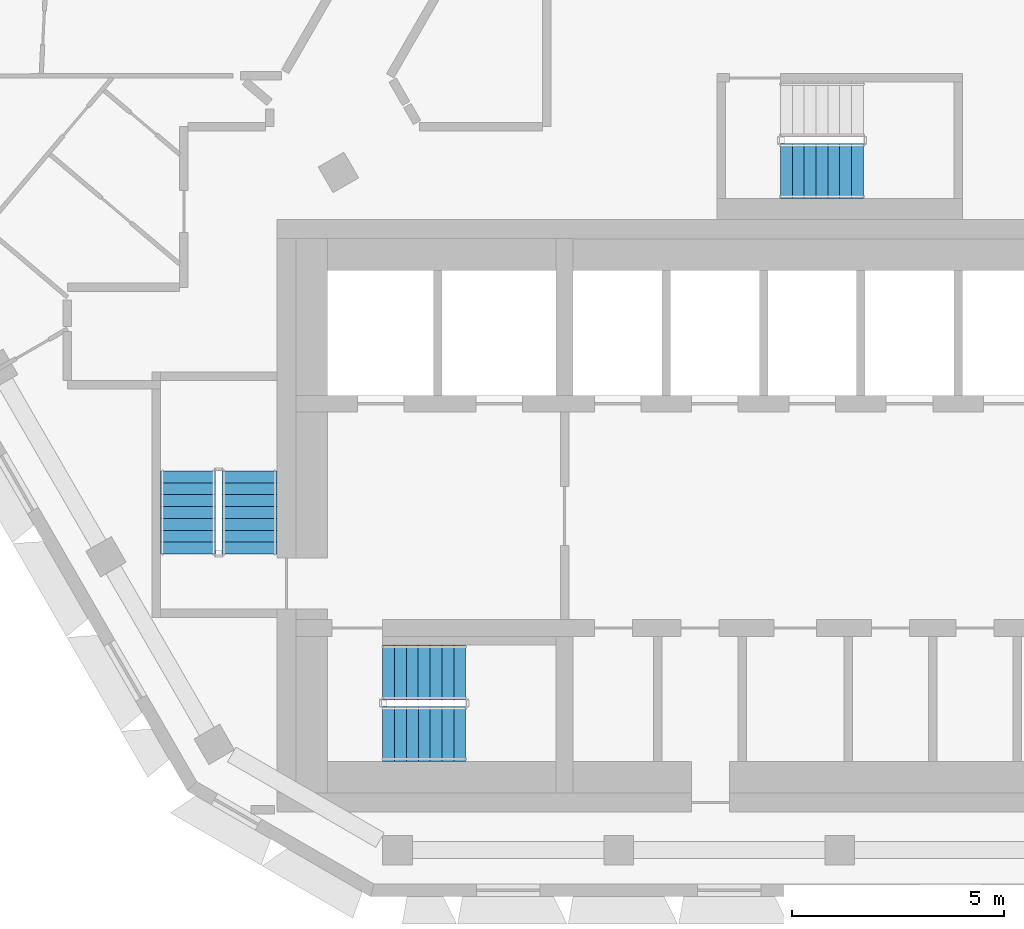
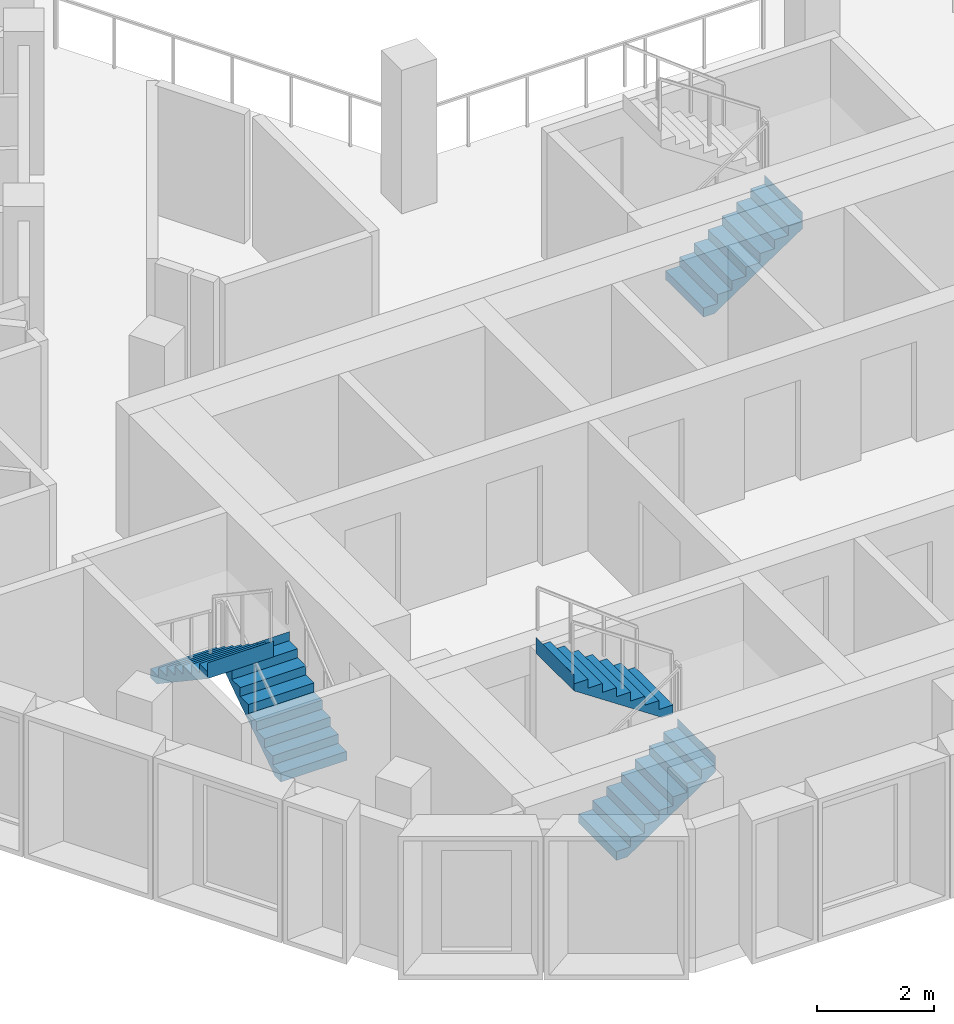
# One storey, part 9 of 15: 5 stair flights, 3 elements without a shape of their own.
"""IFC4 building model written with IfcOpenShell, lengths in metres."""

from ifc_helpers import new_model, si_unit, direction, frame, origin, place, context, subcontext, project, spatial, triangles, material, type_object, element, aggregate, save


model = new_model("IFC4")

# Units and contexts
model_context = context("Model", 3, precision=1e-05, world=origin(), true_north=direction((0.0, 1.0)))
body_context = subcontext(model_context, "Body", "Model", "MODEL_VIEW")
ifc_project = project(units=[si_unit("LENGTHUNIT", "METRE"), si_unit("AREAUNIT", "SQUARE_METRE"), si_unit("VOLUMEUNIT", "CUBIC_METRE"), si_unit("PLANEANGLEUNIT", "RADIAN"), si_unit("MASSUNIT", "GRAM", prefix="KILO")], contexts=[model_context])

# Site, building, storey
site_placement = place(None, origin())
site = spatial("IfcSite", under=ifc_project, at=site_placement, CompositionType="ELEMENT")
building_placement = place(site_placement, origin())
building = spatial("IfcBuilding", under=site, at=building_placement, Name="Beryl Residences", CompositionType="ELEMENT")
storey_placement = place(building_placement, frame((0.0, 0.0, 205.800048828125)))
storey = spatial("IfcBuildingStorey", under=building, at=storey_placement, Name="L63", CompositionType="ELEMENT", Elevation=205.800048828125)

# Stair, stair flights
ifc_material_1 = material(Name="Concrete C40/50", Category="concrete")
stair_type = type_object("IfcStairType", Name="ST1 protected exit stair, half-turn, 1300 mm flights", PredefinedType="HALF_TURN_STAIR", material=ifc_material_1)
stair_1_placement = place(storey_placement, origin())
stair_1 = element("IfcStair", 1, at=stair_1_placement, inside=storey, type_object=stair_type, Name="L63 PROTECTED EXIT STAIR ST-1", PredefinedType="HALF_TURN_STAIR")
ifc_material_2 = material(Name="Concrete C40/50", Category="concrete")
stair_flight_type = type_object("IfcStairFlightType", Name="SF1 stair flight 1300 mm", PredefinedType="STRAIGHT", material=ifc_material_2)
stair_flight_1_placement = place(storey_placement, frame((-10.800048828125, -17.14990234375, 0.0), z_axis=(0.0, 0.0, 1.0), x_axis=(1.0, 0.0, 0.0)))
stair_flight_1 = element("IfcStairFlight", 2, at=stair_flight_1_placement, type_object=stair_flight_type, Name="ST-1 flight 1", NumberOfRisers=8, NumberOfTreads=7, PredefinedType="STRAIGHT", RiserHeight=0.1875, TreadLength=0.28, context=body_context, shape_type="Tessellation", body=[
    triangles([(0.0, -0.64990234375, 0.0), (0.0, -0.324951171875, 0.0), (0.0, 0.0, 0.0), (0.0, 0.324951171875, 0.0), (0.0, 0.64990234375, 0.0), (0.0, -0.64990234375, 0.1875), (0.0, -0.324951171875, 0.1875), (0.0, 0.0, 0.1875), (0.0, 0.324951171875, 0.1875), (0.0, 0.64990234375, 0.1875), (0.280029296875, -0.64990234375, 0.1875), (0.280029296875, -0.324951171875, 0.1875), (0.280029296875, 0.0, 0.1875), (0.280029296875, 0.324951171875, 0.1875), (0.280029296875, 0.64990234375, 0.1875), (0.280029296875, -0.64990234375, 0.375), (0.280029296875, -0.324951171875, 0.375), (0.280029296875, 0.0, 0.375), (0.280029296875, 0.324951171875, 0.375), (0.280029296875, 0.64990234375, 0.375), (0.56005859375, -0.64990234375, 0.375), (0.56005859375, -0.324951171875, 0.375), (0.56005859375, 0.0, 0.375), (0.56005859375, 0.324951171875, 0.375), (0.56005859375, 0.64990234375, 0.375), (0.56005859375, -0.64990234375, 0.5625), (0.56005859375, -0.324951171875, 0.5625), (0.56005859375, 0.0, 0.5625), (0.56005859375, 0.324951171875, 0.5625), (0.56005859375, 0.64990234375, 0.5625), (0.840087890625, -0.64990234375, 0.5625), (0.840087890625, -0.324951171875, 0.5625), (0.840087890625, 0.0, 0.5625), (0.840087890625, 0.324951171875, 0.5625), (0.840087890625, 0.64990234375, 0.5625), (0.840087890625, -0.64990234375, 0.75), (0.840087890625, -0.324951171875, 0.75), (0.840087890625, 0.0, 0.75), (0.840087890625, 0.324951171875, 0.75), (0.840087890625, 0.64990234375, 0.75), (1.1201171875, -0.64990234375, 0.75), (1.1201171875, -0.324951171875, 0.75), (1.1201171875, 0.0, 0.75), (1.1201171875, 0.324951171875, 0.75), (1.1201171875, 0.64990234375, 0.75), (1.1201171875, -0.64990234375, 0.9375), (1.1201171875, -0.324951171875, 0.9375), (1.1201171875, 0.0, 0.9375), (1.1201171875, 0.324951171875, 0.9375), (1.1201171875, 0.64990234375, 0.9375), (1.39990234375, -0.64990234375, 0.9375), (1.39990234375, -0.324951171875, 0.9375), (1.39990234375, 0.0, 0.9375), (1.39990234375, 0.324951171875, 0.9375), (1.39990234375, 0.64990234375, 0.9375), (1.39990234375, -0.64990234375, 1.125), (1.39990234375, -0.324951171875, 1.125), (1.39990234375, 0.0, 1.125), (1.39990234375, 0.324951171875, 1.125), (1.39990234375, 0.64990234375, 1.125), (1.679931640625, -0.64990234375, 1.125), (1.679931640625, -0.324951171875, 1.125), (1.679931640625, 0.0, 1.125), (1.679931640625, 0.324951171875, 1.125), (1.679931640625, 0.64990234375, 1.125), (1.679931640625, -0.64990234375, 1.3125), (1.679931640625, -0.324951171875, 1.3125), (1.679931640625, 0.0, 1.3125), (1.679931640625, 0.324951171875, 1.3125), (1.679931640625, 0.64990234375, 1.3125), (1.9599609375, -0.64990234375, 1.3125), (1.9599609375, -0.324951171875, 1.3125), (1.9599609375, 0.0, 1.3125), (1.9599609375, 0.324951171875, 1.3125), (1.9599609375, 0.64990234375, 1.3125), (1.9599609375, -0.64990234375, 1.5), (1.9599609375, -0.324951171875, 1.5), (1.9599609375, 0.0, 1.5), (1.9599609375, 0.324951171875, 1.5), (1.9599609375, 0.64990234375, 1.5), (1.9609375, -0.64990234375, 1.5), (1.9609375, -0.324951171875, 1.5), (1.9609375, 0.0, 1.5), (1.9609375, 0.324951171875, 1.5), (1.9609375, 0.64990234375, 1.5), (1.9609375, -0.64990234375, 1.16796875), (1.9609375, -0.324951171875, 1.16796875), (1.9609375, 0.0, 1.16796875), (1.9609375, 0.324951171875, 1.16796875), (1.9609375, 0.64990234375, 1.16796875), (0.216796875, -0.64990234375, 0.0), (0.216796875, -0.324951171875, 0.0), (0.216796875, 0.0, 0.0), (0.216796875, 0.324951171875, 0.0), (0.216796875, 0.64990234375, 0.0)], [[1, 6, 7], [1, 7, 2], [2, 7, 8], [2, 8, 3], [3, 8, 9], [3, 9, 4], [4, 9, 10], [4, 10, 5], [6, 11, 12], [6, 12, 7], [7, 12, 13], [7, 13, 8], [8, 13, 14], [8, 14, 9], [9, 14, 15], [9, 15, 10], [11, 16, 17], [11, 17, 12], [12, 17, 18], [12, 18, 13], [13, 18, 19], [13, 19, 14], [14, 19, 20], [14, 20, 15], [16, 21, 22], [16, 22, 17], [17, 22, 23], [17, 23, 18], [18, 23, 24], [18, 24, 19], [19, 24, 25], [19, 25, 20], [21, 26, 27], [21, 27, 22], [22, 27, 28], [22, 28, 23], [23, 28, 29], [23, 29, 24], [24, 29, 30], [24, 30, 25], [26, 31, 32], [26, 32, 27], [27, 32, 33], [27, 33, 28], [28, 33, 34], [28, 34, 29], [29, 34, 35], [29, 35, 30], [31, 36, 37], [31, 37, 32], [32, 37, 38], [32, 38, 33], [33, 38, 39], [33, 39, 34], [34, 39, 40], [34, 40, 35], [36, 41, 42], [36, 42, 37], [37, 42, 43], [37, 43, 38], [38, 43, 44], [38, 44, 39], [39, 44, 45], [39, 45, 40], [41, 46, 47], [41, 47, 42], [42, 47, 48], [42, 48, 43], [43, 48, 49], [43, 49, 44], [44, 49, 50], [44, 50, 45], [46, 51, 52], [46, 52, 47], [47, 52, 53], [47, 53, 48], [48, 53, 54], [48, 54, 49], [49, 54, 55], [49, 55, 50], [51, 56, 57], [51, 57, 52], [52, 57, 58], [52, 58, 53], [53, 58, 59], [53, 59, 54], [54, 59, 60], [54, 60, 55], [56, 61, 62], [56, 62, 57], [57, 62, 63], [57, 63, 58], [58, 63, 64], [58, 64, 59], [59, 64, 65], [59, 65, 60], [61, 66, 67], [61, 67, 62], [62, 67, 68], [62, 68, 63], [63, 68, 69], [63, 69, 64], [64, 69, 70], [64, 70, 65], [66, 71, 72], [66, 72, 67], [67, 72, 73], [67, 73, 68], [68, 73, 74], [68, 74, 69], [69, 74, 75], [69, 75, 70], [71, 76, 77], [71, 77, 72], [72, 77, 78], [72, 78, 73], [73, 78, 79], [73, 79, 74], [74, 79, 80], [74, 80, 75], [76, 81, 82], [76, 82, 77], [77, 82, 83], [77, 83, 78], [78, 83, 84], [78, 84, 79], [79, 84, 85], [79, 85, 80], [81, 86, 87], [81, 87, 82], [82, 87, 88], [82, 88, 83], [83, 88, 89], [83, 89, 84], [84, 89, 90], [84, 90, 85], [86, 91, 92], [86, 92, 87], [87, 92, 93], [87, 93, 88], [88, 93, 94], [88, 94, 89], [89, 94, 95], [89, 95, 90], [91, 1, 2], [91, 2, 92], [92, 2, 3], [92, 3, 93], [93, 3, 4], [93, 4, 94], [94, 4, 5], [94, 5, 95], [1, 91, 86], [5, 90, 95], [86, 81, 76], [90, 80, 85], [86, 76, 71], [90, 75, 80], [86, 71, 66], [90, 70, 75], [86, 66, 61], [90, 65, 70], [61, 56, 51], [65, 55, 60], [86, 61, 51], [90, 55, 65], [51, 46, 41], [55, 45, 50], [86, 51, 41], [90, 45, 55], [41, 36, 31], [45, 35, 40], [86, 41, 31], [90, 35, 45], [31, 26, 21], [35, 25, 30], [86, 31, 21], [90, 25, 35], [21, 16, 11], [25, 15, 20], [86, 21, 11], [90, 15, 25], [1, 86, 11], [5, 15, 90], [11, 6, 1], [15, 5, 10]], closed=True),
])
stair_flight_2_placement = place(storey_placement, frame((-8.840087890625, -15.699951171875, 1.5), z_axis=(0.0, 0.0, 1.0), x_axis=(-1.0, 0.0, 0.0)))
stair_flight_2 = element("IfcStairFlight", 3, at=stair_flight_2_placement, type_object=stair_flight_type, Name="ST-1 flight 2", NumberOfRisers=8, NumberOfTreads=7, PredefinedType="STRAIGHT", RiserHeight=0.1875, TreadLength=0.28, context=body_context, shape_type="Tessellation", body=[
    triangles([(0.0, -0.64990234375, 0.0), (0.0, -0.324951171875, 0.0), (0.0, 0.0, 0.0), (0.0, 0.324951171875, 0.0), (0.0, 0.64990234375, 0.0), (0.0, -0.64990234375, 0.1875), (0.0, -0.324951171875, 0.1875), (0.0, 0.0, 0.1875), (0.0, 0.324951171875, 0.1875), (0.0, 0.64990234375, 0.1875), (0.280029296875, -0.64990234375, 0.1875), (0.280029296875, -0.324951171875, 0.1875), (0.280029296875, 0.0, 0.1875), (0.280029296875, 0.324951171875, 0.1875), (0.280029296875, 0.64990234375, 0.1875), (0.280029296875, -0.64990234375, 0.375), (0.280029296875, -0.324951171875, 0.375), (0.280029296875, 0.0, 0.375), (0.280029296875, 0.324951171875, 0.375), (0.280029296875, 0.64990234375, 0.375), (0.56005859375, -0.64990234375, 0.375), (0.56005859375, -0.324951171875, 0.375), (0.56005859375, 0.0, 0.375), (0.56005859375, 0.324951171875, 0.375), (0.56005859375, 0.64990234375, 0.375), (0.56005859375, -0.64990234375, 0.5625), (0.56005859375, -0.324951171875, 0.5625), (0.56005859375, 0.0, 0.5625), (0.56005859375, 0.324951171875, 0.5625), (0.56005859375, 0.64990234375, 0.5625), (0.840087890625, -0.64990234375, 0.5625), (0.840087890625, -0.324951171875, 0.5625), (0.840087890625, 0.0, 0.5625), (0.840087890625, 0.324951171875, 0.5625), (0.840087890625, 0.64990234375, 0.5625), (0.840087890625, -0.64990234375, 0.75), (0.840087890625, -0.324951171875, 0.75), (0.840087890625, 0.0, 0.75), (0.840087890625, 0.324951171875, 0.75), (0.840087890625, 0.64990234375, 0.75), (1.1201171875, -0.64990234375, 0.75), (1.1201171875, -0.324951171875, 0.75), (1.1201171875, 0.0, 0.75), (1.1201171875, 0.324951171875, 0.75), (1.1201171875, 0.64990234375, 0.75), (1.1201171875, -0.64990234375, 0.9375), (1.1201171875, -0.324951171875, 0.9375), (1.1201171875, 0.0, 0.9375), (1.1201171875, 0.324951171875, 0.9375), (1.1201171875, 0.64990234375, 0.9375), (1.39990234375, -0.64990234375, 0.9375), (1.39990234375, -0.324951171875, 0.9375), (1.39990234375, 0.0, 0.9375), (1.39990234375, 0.324951171875, 0.9375), (1.39990234375, 0.64990234375, 0.9375), (1.39990234375, -0.64990234375, 1.125), (1.39990234375, -0.324951171875, 1.125), (1.39990234375, 0.0, 1.125), (1.39990234375, 0.324951171875, 1.125), (1.39990234375, 0.64990234375, 1.125), (1.679931640625, -0.64990234375, 1.125), (1.679931640625, -0.324951171875, 1.125), (1.679931640625, 0.0, 1.125), (1.679931640625, 0.324951171875, 1.125), (1.679931640625, 0.64990234375, 1.125), (1.679931640625, -0.64990234375, 1.3125), (1.679931640625, -0.324951171875, 1.3125), (1.679931640625, 0.0, 1.3125), (1.679931640625, 0.324951171875, 1.3125), (1.679931640625, 0.64990234375, 1.3125), (1.9599609375, -0.64990234375, 1.3125), (1.9599609375, -0.324951171875, 1.3125), (1.9599609375, 0.0, 1.3125), (1.9599609375, 0.324951171875, 1.3125), (1.9599609375, 0.64990234375, 1.3125), (1.9599609375, -0.64990234375, 1.5), (1.9599609375, -0.324951171875, 1.5), (1.9599609375, 0.0, 1.5), (1.9599609375, 0.324951171875, 1.5), (1.9599609375, 0.64990234375, 1.5), (1.9609375, -0.64990234375, 1.5), (1.9609375, -0.324951171875, 1.5), (1.9609375, 0.0, 1.5), (1.9609375, 0.324951171875, 1.5), (1.9609375, 0.64990234375, 1.5), (1.9609375, -0.64990234375, 1.16796875), (1.9609375, -0.324951171875, 1.16796875), (1.9609375, 0.0, 1.16796875), (1.9609375, 0.324951171875, 1.16796875), (1.9609375, 0.64990234375, 1.16796875), (0.216796875, -0.64990234375, 0.0), (0.216796875, -0.324951171875, 0.0), (0.216796875, 0.0, 0.0), (0.216796875, 0.324951171875, 0.0), (0.216796875, 0.64990234375, 0.0)], [[1, 6, 7], [1, 7, 2], [2, 7, 8], [2, 8, 3], [3, 8, 9], [3, 9, 4], [4, 9, 10], [4, 10, 5], [6, 11, 12], [6, 12, 7], [7, 12, 13], [7, 13, 8], [8, 13, 14], [8, 14, 9], [9, 14, 15], [9, 15, 10], [11, 16, 17], [11, 17, 12], [12, 17, 18], [12, 18, 13], [13, 18, 19], [13, 19, 14], [14, 19, 20], [14, 20, 15], [16, 21, 22], [16, 22, 17], [17, 22, 23], [17, 23, 18], [18, 23, 24], [18, 24, 19], [19, 24, 25], [19, 25, 20], [21, 26, 27], [21, 27, 22], [22, 27, 28], [22, 28, 23], [23, 28, 29], [23, 29, 24], [24, 29, 30], [24, 30, 25], [26, 31, 32], [26, 32, 27], [27, 32, 33], [27, 33, 28], [28, 33, 34], [28, 34, 29], [29, 34, 35], [29, 35, 30], [31, 36, 37], [31, 37, 32], [32, 37, 38], [32, 38, 33], [33, 38, 39], [33, 39, 34], [34, 39, 40], [34, 40, 35], [36, 41, 42], [36, 42, 37], [37, 42, 43], [37, 43, 38], [38, 43, 44], [38, 44, 39], [39, 44, 45], [39, 45, 40], [41, 46, 47], [41, 47, 42], [42, 47, 48], [42, 48, 43], [43, 48, 49], [43, 49, 44], [44, 49, 50], [44, 50, 45], [46, 51, 52], [46, 52, 47], [47, 52, 53], [47, 53, 48], [48, 53, 54], [48, 54, 49], [49, 54, 55], [49, 55, 50], [51, 56, 57], [51, 57, 52], [52, 57, 58], [52, 58, 53], [53, 58, 59], [53, 59, 54], [54, 59, 60], [54, 60, 55], [56, 61, 62], [56, 62, 57], [57, 62, 63], [57, 63, 58], [58, 63, 64], [58, 64, 59], [59, 64, 65], [59, 65, 60], [61, 66, 67], [61, 67, 62], [62, 67, 68], [62, 68, 63], [63, 68, 69], [63, 69, 64], [64, 69, 70], [64, 70, 65], [66, 71, 72], [66, 72, 67], [67, 72, 73], [67, 73, 68], [68, 73, 74], [68, 74, 69], [69, 74, 75], [69, 75, 70], [71, 76, 77], [71, 77, 72], [72, 77, 78], [72, 78, 73], [73, 78, 79], [73, 79, 74], [74, 79, 80], [74, 80, 75], [76, 81, 82], [76, 82, 77], [77, 82, 83], [77, 83, 78], [78, 83, 84], [78, 84, 79], [79, 84, 85], [79, 85, 80], [81, 86, 87], [81, 87, 82], [82, 87, 88], [82, 88, 83], [83, 88, 89], [83, 89, 84], [84, 89, 90], [84, 90, 85], [86, 91, 92], [86, 92, 87], [87, 92, 93], [87, 93, 88], [88, 93, 94], [88, 94, 89], [89, 94, 95], [89, 95, 90], [91, 1, 2], [91, 2, 92], [92, 2, 3], [92, 3, 93], [93, 3, 4], [93, 4, 94], [94, 4, 5], [94, 5, 95], [1, 91, 86], [5, 90, 95], [86, 81, 76], [90, 80, 85], [86, 76, 71], [90, 75, 80], [86, 71, 66], [90, 70, 75], [86, 66, 61], [90, 65, 70], [61, 56, 51], [65, 55, 60], [86, 61, 51], [90, 55, 65], [51, 46, 41], [55, 45, 50], [86, 51, 41], [90, 45, 55], [41, 36, 31], [45, 35, 40], [86, 41, 31], [90, 35, 45], [31, 26, 21], [35, 25, 30], [86, 31, 21], [90, 25, 35], [21, 16, 11], [25, 15, 20], [86, 21, 11], [90, 15, 25], [1, 86, 11], [5, 15, 90], [11, 6, 1], [15, 5, 10]], closed=True),
])
aggregate(stair_1, [stair_flight_1, stair_flight_2])

stair_2_placement = place(storey_placement, origin())
stair_2 = element("IfcStair", 4, at=stair_2_placement, inside=storey, type_object=stair_type, Name="L63 PROTECTED EXIT STAIR ST-2", PredefinedType="HALF_TURN_STAIR")
stair_flight_3_placement = place(storey_placement, frame((-13.949951171875, -12.89990234375, 0.0), z_axis=(0.0, 0.0, 1.0), x_axis=(0.0, 1.0, 0.0)))
stair_flight_3 = element("IfcStairFlight", 5, at=stair_flight_3_placement, type_object=stair_flight_type, Name="ST-2 flight 1", NumberOfRisers=8, NumberOfTreads=7, PredefinedType="STRAIGHT", RiserHeight=0.1875, TreadLength=0.28, context=body_context, shape_type="Tessellation", body=[
    triangles([(0.0, -0.64990234375, 0.0), (0.0, -0.324951171875, 0.0), (0.0, 0.0, 0.0), (0.0, 0.324951171875, 0.0), (0.0, 0.64990234375, 0.0), (0.0, -0.64990234375, 0.1875), (0.0, -0.324951171875, 0.1875), (0.0, 0.0, 0.1875), (0.0, 0.324951171875, 0.1875), (0.0, 0.64990234375, 0.1875), (0.280029296875, -0.64990234375, 0.1875), (0.280029296875, -0.324951171875, 0.1875), (0.280029296875, 0.0, 0.1875), (0.280029296875, 0.324951171875, 0.1875), (0.280029296875, 0.64990234375, 0.1875), (0.280029296875, -0.64990234375, 0.375), (0.280029296875, -0.324951171875, 0.375), (0.280029296875, 0.0, 0.375), (0.280029296875, 0.324951171875, 0.375), (0.280029296875, 0.64990234375, 0.375), (0.56005859375, -0.64990234375, 0.375), (0.56005859375, -0.324951171875, 0.375), (0.56005859375, 0.0, 0.375), (0.56005859375, 0.324951171875, 0.375), (0.56005859375, 0.64990234375, 0.375), (0.56005859375, -0.64990234375, 0.5625), (0.56005859375, -0.324951171875, 0.5625), (0.56005859375, 0.0, 0.5625), (0.56005859375, 0.324951171875, 0.5625), (0.56005859375, 0.64990234375, 0.5625), (0.840087890625, -0.64990234375, 0.5625), (0.840087890625, -0.324951171875, 0.5625), (0.840087890625, 0.0, 0.5625), (0.840087890625, 0.324951171875, 0.5625), (0.840087890625, 0.64990234375, 0.5625), (0.840087890625, -0.64990234375, 0.75), (0.840087890625, -0.324951171875, 0.75), (0.840087890625, 0.0, 0.75), (0.840087890625, 0.324951171875, 0.75), (0.840087890625, 0.64990234375, 0.75), (1.1201171875, -0.64990234375, 0.75), (1.1201171875, -0.324951171875, 0.75), (1.1201171875, 0.0, 0.75), (1.1201171875, 0.324951171875, 0.75), (1.1201171875, 0.64990234375, 0.75), (1.1201171875, -0.64990234375, 0.9375), (1.1201171875, -0.324951171875, 0.9375), (1.1201171875, 0.0, 0.9375), (1.1201171875, 0.324951171875, 0.9375), (1.1201171875, 0.64990234375, 0.9375), (1.39990234375, -0.64990234375, 0.9375), (1.39990234375, -0.324951171875, 0.9375), (1.39990234375, 0.0, 0.9375), (1.39990234375, 0.324951171875, 0.9375), (1.39990234375, 0.64990234375, 0.9375), (1.39990234375, -0.64990234375, 1.125), (1.39990234375, -0.324951171875, 1.125), (1.39990234375, 0.0, 1.125), (1.39990234375, 0.324951171875, 1.125), (1.39990234375, 0.64990234375, 1.125), (1.679931640625, -0.64990234375, 1.125), (1.679931640625, -0.324951171875, 1.125), (1.679931640625, 0.0, 1.125), (1.679931640625, 0.324951171875, 1.125), (1.679931640625, 0.64990234375, 1.125), (1.679931640625, -0.64990234375, 1.3125), (1.679931640625, -0.324951171875, 1.3125), (1.679931640625, 0.0, 1.3125), (1.679931640625, 0.324951171875, 1.3125), (1.679931640625, 0.64990234375, 1.3125), (1.9599609375, -0.64990234375, 1.3125), (1.9599609375, -0.324951171875, 1.3125), (1.9599609375, 0.0, 1.3125), (1.9599609375, 0.324951171875, 1.3125), (1.9599609375, 0.64990234375, 1.3125), (1.9599609375, -0.64990234375, 1.5), (1.9599609375, -0.324951171875, 1.5), (1.9599609375, 0.0, 1.5), (1.9599609375, 0.324951171875, 1.5), (1.9599609375, 0.64990234375, 1.5), (1.9609375, -0.64990234375, 1.5), (1.9609375, -0.324951171875, 1.5), (1.9609375, 0.0, 1.5), (1.9609375, 0.324951171875, 1.5), (1.9609375, 0.64990234375, 1.5), (1.9609375, -0.64990234375, 1.16796875), (1.9609375, -0.324951171875, 1.16796875), (1.9609375, 0.0, 1.16796875), (1.9609375, 0.324951171875, 1.16796875), (1.9609375, 0.64990234375, 1.16796875), (0.216796875, -0.64990234375, 0.0), (0.216796875, -0.324951171875, 0.0), (0.216796875, 0.0, 0.0), (0.216796875, 0.324951171875, 0.0), (0.216796875, 0.64990234375, 0.0)], [[1, 6, 7], [1, 7, 2], [2, 7, 8], [2, 8, 3], [3, 8, 9], [3, 9, 4], [4, 9, 10], [4, 10, 5], [6, 11, 12], [6, 12, 7], [7, 12, 13], [7, 13, 8], [8, 13, 14], [8, 14, 9], [9, 14, 15], [9, 15, 10], [11, 16, 17], [11, 17, 12], [12, 17, 18], [12, 18, 13], [13, 18, 19], [13, 19, 14], [14, 19, 20], [14, 20, 15], [16, 21, 22], [16, 22, 17], [17, 22, 23], [17, 23, 18], [18, 23, 24], [18, 24, 19], [19, 24, 25], [19, 25, 20], [21, 26, 27], [21, 27, 22], [22, 27, 28], [22, 28, 23], [23, 28, 29], [23, 29, 24], [24, 29, 30], [24, 30, 25], [26, 31, 32], [26, 32, 27], [27, 32, 33], [27, 33, 28], [28, 33, 34], [28, 34, 29], [29, 34, 35], [29, 35, 30], [31, 36, 37], [31, 37, 32], [32, 37, 38], [32, 38, 33], [33, 38, 39], [33, 39, 34], [34, 39, 40], [34, 40, 35], [36, 41, 42], [36, 42, 37], [37, 42, 43], [37, 43, 38], [38, 43, 44], [38, 44, 39], [39, 44, 45], [39, 45, 40], [41, 46, 47], [41, 47, 42], [42, 47, 48], [42, 48, 43], [43, 48, 49], [43, 49, 44], [44, 49, 50], [44, 50, 45], [46, 51, 52], [46, 52, 47], [47, 52, 53], [47, 53, 48], [48, 53, 54], [48, 54, 49], [49, 54, 55], [49, 55, 50], [51, 56, 57], [51, 57, 52], [52, 57, 58], [52, 58, 53], [53, 58, 59], [53, 59, 54], [54, 59, 60], [54, 60, 55], [56, 61, 62], [56, 62, 57], [57, 62, 63], [57, 63, 58], [58, 63, 64], [58, 64, 59], [59, 64, 65], [59, 65, 60], [61, 66, 67], [61, 67, 62], [62, 67, 68], [62, 68, 63], [63, 68, 69], [63, 69, 64], [64, 69, 70], [64, 70, 65], [66, 71, 72], [66, 72, 67], [67, 72, 73], [67, 73, 68], [68, 73, 74], [68, 74, 69], [69, 74, 75], [69, 75, 70], [71, 76, 77], [71, 77, 72], [72, 77, 78], [72, 78, 73], [73, 78, 79], [73, 79, 74], [74, 79, 80], [74, 80, 75], [76, 81, 82], [76, 82, 77], [77, 82, 83], [77, 83, 78], [78, 83, 84], [78, 84, 79], [79, 84, 85], [79, 85, 80], [81, 86, 87], [81, 87, 82], [82, 87, 88], [82, 88, 83], [83, 88, 89], [83, 89, 84], [84, 89, 90], [84, 90, 85], [86, 91, 92], [86, 92, 87], [87, 92, 93], [87, 93, 88], [88, 93, 94], [88, 94, 89], [89, 94, 95], [89, 95, 90], [91, 1, 2], [91, 2, 92], [92, 2, 3], [92, 3, 93], [93, 3, 4], [93, 4, 94], [94, 4, 5], [94, 5, 95], [1, 91, 86], [5, 90, 95], [86, 81, 76], [90, 80, 85], [86, 76, 71], [90, 75, 80], [86, 71, 66], [90, 70, 75], [86, 66, 61], [90, 65, 70], [61, 56, 51], [65, 55, 60], [86, 61, 51], [90, 55, 65], [51, 46, 41], [55, 45, 50], [86, 51, 41], [90, 45, 55], [41, 36, 31], [45, 35, 40], [86, 41, 31], [90, 35, 45], [31, 26, 21], [35, 25, 30], [86, 31, 21], [90, 25, 35], [21, 16, 11], [25, 15, 20], [86, 21, 11], [90, 15, 25], [1, 86, 11], [5, 15, 90], [11, 6, 1], [15, 5, 10]], closed=True),
])
stair_flight_4_placement = place(storey_placement, frame((-15.39990234375, -10.93994140625, 1.5), z_axis=(0.0, 0.0, 1.0), x_axis=(0.0, -1.0, 0.0)))
stair_flight_4 = element("IfcStairFlight", 6, at=stair_flight_4_placement, type_object=stair_flight_type, Name="ST-2 flight 2", NumberOfRisers=8, NumberOfTreads=7, PredefinedType="STRAIGHT", RiserHeight=0.1875, TreadLength=0.28, context=body_context, shape_type="Tessellation", body=[
    triangles([(0.0, -0.64990234375, 0.0), (0.0, -0.324951171875, 0.0), (0.0, 0.0, 0.0), (0.0, 0.324951171875, 0.0), (0.0, 0.64990234375, 0.0), (0.0, -0.64990234375, 0.1875), (0.0, -0.324951171875, 0.1875), (0.0, 0.0, 0.1875), (0.0, 0.324951171875, 0.1875), (0.0, 0.64990234375, 0.1875), (0.280029296875, -0.64990234375, 0.1875), (0.280029296875, -0.324951171875, 0.1875), (0.280029296875, 0.0, 0.1875), (0.280029296875, 0.324951171875, 0.1875), (0.280029296875, 0.64990234375, 0.1875), (0.280029296875, -0.64990234375, 0.375), (0.280029296875, -0.324951171875, 0.375), (0.280029296875, 0.0, 0.375), (0.280029296875, 0.324951171875, 0.375), (0.280029296875, 0.64990234375, 0.375), (0.56005859375, -0.64990234375, 0.375), (0.56005859375, -0.324951171875, 0.375), (0.56005859375, 0.0, 0.375), (0.56005859375, 0.324951171875, 0.375), (0.56005859375, 0.64990234375, 0.375), (0.56005859375, -0.64990234375, 0.5625), (0.56005859375, -0.324951171875, 0.5625), (0.56005859375, 0.0, 0.5625), (0.56005859375, 0.324951171875, 0.5625), (0.56005859375, 0.64990234375, 0.5625), (0.840087890625, -0.64990234375, 0.5625), (0.840087890625, -0.324951171875, 0.5625), (0.840087890625, 0.0, 0.5625), (0.840087890625, 0.324951171875, 0.5625), (0.840087890625, 0.64990234375, 0.5625), (0.840087890625, -0.64990234375, 0.75), (0.840087890625, -0.324951171875, 0.75), (0.840087890625, 0.0, 0.75), (0.840087890625, 0.324951171875, 0.75), (0.840087890625, 0.64990234375, 0.75), (1.1201171875, -0.64990234375, 0.75), (1.1201171875, -0.324951171875, 0.75), (1.1201171875, 0.0, 0.75), (1.1201171875, 0.324951171875, 0.75), (1.1201171875, 0.64990234375, 0.75), (1.1201171875, -0.64990234375, 0.9375), (1.1201171875, -0.324951171875, 0.9375), (1.1201171875, 0.0, 0.9375), (1.1201171875, 0.324951171875, 0.9375), (1.1201171875, 0.64990234375, 0.9375), (1.39990234375, -0.64990234375, 0.9375), (1.39990234375, -0.324951171875, 0.9375), (1.39990234375, 0.0, 0.9375), (1.39990234375, 0.324951171875, 0.9375), (1.39990234375, 0.64990234375, 0.9375), (1.39990234375, -0.64990234375, 1.125), (1.39990234375, -0.324951171875, 1.125), (1.39990234375, 0.0, 1.125), (1.39990234375, 0.324951171875, 1.125), (1.39990234375, 0.64990234375, 1.125), (1.679931640625, -0.64990234375, 1.125), (1.679931640625, -0.324951171875, 1.125), (1.679931640625, 0.0, 1.125), (1.679931640625, 0.324951171875, 1.125), (1.679931640625, 0.64990234375, 1.125), (1.679931640625, -0.64990234375, 1.3125), (1.679931640625, -0.324951171875, 1.3125), (1.679931640625, 0.0, 1.3125), (1.679931640625, 0.324951171875, 1.3125), (1.679931640625, 0.64990234375, 1.3125), (1.9599609375, -0.64990234375, 1.3125), (1.9599609375, -0.324951171875, 1.3125), (1.9599609375, 0.0, 1.3125), (1.9599609375, 0.324951171875, 1.3125), (1.9599609375, 0.64990234375, 1.3125), (1.9599609375, -0.64990234375, 1.5), (1.9599609375, -0.324951171875, 1.5), (1.9599609375, 0.0, 1.5), (1.9599609375, 0.324951171875, 1.5), (1.9599609375, 0.64990234375, 1.5), (1.9609375, -0.64990234375, 1.5), (1.9609375, -0.324951171875, 1.5), (1.9609375, 0.0, 1.5), (1.9609375, 0.324951171875, 1.5), (1.9609375, 0.64990234375, 1.5), (1.9609375, -0.64990234375, 1.16796875), (1.9609375, -0.324951171875, 1.16796875), (1.9609375, 0.0, 1.16796875), (1.9609375, 0.324951171875, 1.16796875), (1.9609375, 0.64990234375, 1.16796875), (0.216796875, -0.64990234375, 0.0), (0.216796875, -0.324951171875, 0.0), (0.216796875, 0.0, 0.0), (0.216796875, 0.324951171875, 0.0), (0.216796875, 0.64990234375, 0.0)], [[1, 6, 7], [1, 7, 2], [2, 7, 8], [2, 8, 3], [3, 8, 9], [3, 9, 4], [4, 9, 10], [4, 10, 5], [6, 11, 12], [6, 12, 7], [7, 12, 13], [7, 13, 8], [8, 13, 14], [8, 14, 9], [9, 14, 15], [9, 15, 10], [11, 16, 17], [11, 17, 12], [12, 17, 18], [12, 18, 13], [13, 18, 19], [13, 19, 14], [14, 19, 20], [14, 20, 15], [16, 21, 22], [16, 22, 17], [17, 22, 23], [17, 23, 18], [18, 23, 24], [18, 24, 19], [19, 24, 25], [19, 25, 20], [21, 26, 27], [21, 27, 22], [22, 27, 28], [22, 28, 23], [23, 28, 29], [23, 29, 24], [24, 29, 30], [24, 30, 25], [26, 31, 32], [26, 32, 27], [27, 32, 33], [27, 33, 28], [28, 33, 34], [28, 34, 29], [29, 34, 35], [29, 35, 30], [31, 36, 37], [31, 37, 32], [32, 37, 38], [32, 38, 33], [33, 38, 39], [33, 39, 34], [34, 39, 40], [34, 40, 35], [36, 41, 42], [36, 42, 37], [37, 42, 43], [37, 43, 38], [38, 43, 44], [38, 44, 39], [39, 44, 45], [39, 45, 40], [41, 46, 47], [41, 47, 42], [42, 47, 48], [42, 48, 43], [43, 48, 49], [43, 49, 44], [44, 49, 50], [44, 50, 45], [46, 51, 52], [46, 52, 47], [47, 52, 53], [47, 53, 48], [48, 53, 54], [48, 54, 49], [49, 54, 55], [49, 55, 50], [51, 56, 57], [51, 57, 52], [52, 57, 58], [52, 58, 53], [53, 58, 59], [53, 59, 54], [54, 59, 60], [54, 60, 55], [56, 61, 62], [56, 62, 57], [57, 62, 63], [57, 63, 58], [58, 63, 64], [58, 64, 59], [59, 64, 65], [59, 65, 60], [61, 66, 67], [61, 67, 62], [62, 67, 68], [62, 68, 63], [63, 68, 69], [63, 69, 64], [64, 69, 70], [64, 70, 65], [66, 71, 72], [66, 72, 67], [67, 72, 73], [67, 73, 68], [68, 73, 74], [68, 74, 69], [69, 74, 75], [69, 75, 70], [71, 76, 77], [71, 77, 72], [72, 77, 78], [72, 78, 73], [73, 78, 79], [73, 79, 74], [74, 79, 80], [74, 80, 75], [76, 81, 82], [76, 82, 77], [77, 82, 83], [77, 83, 78], [78, 83, 84], [78, 84, 79], [79, 84, 85], [79, 85, 80], [81, 86, 87], [81, 87, 82], [82, 87, 88], [82, 88, 83], [83, 88, 89], [83, 89, 84], [84, 89, 90], [84, 90, 85], [86, 91, 92], [86, 92, 87], [87, 92, 93], [87, 93, 88], [88, 93, 94], [88, 94, 89], [89, 94, 95], [89, 95, 90], [91, 1, 2], [91, 2, 92], [92, 2, 3], [92, 3, 93], [93, 3, 4], [93, 4, 94], [94, 4, 5], [94, 5, 95], [1, 91, 86], [5, 90, 95], [86, 81, 76], [90, 80, 85], [86, 76, 71], [90, 75, 80], [86, 71, 66], [90, 70, 75], [86, 66, 61], [90, 65, 70], [61, 56, 51], [65, 55, 60], [86, 61, 51], [90, 55, 65], [51, 46, 41], [55, 45, 50], [86, 51, 41], [90, 45, 55], [41, 36, 31], [45, 35, 40], [86, 41, 31], [90, 35, 45], [31, 26, 21], [35, 25, 30], [86, 31, 21], [90, 25, 35], [21, 16, 11], [25, 15, 20], [86, 21, 11], [90, 15, 25], [1, 86, 11], [5, 15, 90], [11, 6, 1], [15, 5, 10]], closed=True),
])
aggregate(stair_2, [stair_flight_3, stair_flight_4])

# Stair, stair flight
stair_3_placement = place(storey_placement, origin())
stair_3 = element("IfcStair", 7, at=stair_3_placement, inside=storey, type_object=stair_type, Name="L63 PROTECTED EXIT STAIR ST-4", PredefinedType="HALF_TURN_STAIR")
stair_flight_5_placement = place(storey_placement, frame((-1.39990234375, -3.85009765625, 0.0), z_axis=(0.0, 0.0, 1.0), x_axis=(1.0, 0.0, 0.0)))
stair_flight_5 = element("IfcStairFlight", 8, at=stair_flight_5_placement, type_object=stair_flight_type, Name="ST-4 flight 1", NumberOfRisers=8, NumberOfTreads=7, PredefinedType="STRAIGHT", RiserHeight=0.1875, TreadLength=0.28, context=body_context, shape_type="Tessellation", body=[
    triangles([(0.0, -0.64990234375, 0.0), (0.0, -0.324951171875, 0.0), (0.0, 0.0, 0.0), (0.0, 0.324951171875, 0.0), (0.0, 0.64990234375, 0.0), (0.0, -0.64990234375, 0.1875), (0.0, -0.324951171875, 0.1875), (0.0, 0.0, 0.1875), (0.0, 0.324951171875, 0.1875), (0.0, 0.64990234375, 0.1875), (0.280029296875, -0.64990234375, 0.1875), (0.280029296875, -0.324951171875, 0.1875), (0.280029296875, 0.0, 0.1875), (0.280029296875, 0.324951171875, 0.1875), (0.280029296875, 0.64990234375, 0.1875), (0.280029296875, -0.64990234375, 0.375), (0.280029296875, -0.324951171875, 0.375), (0.280029296875, 0.0, 0.375), (0.280029296875, 0.324951171875, 0.375), (0.280029296875, 0.64990234375, 0.375), (0.56005859375, -0.64990234375, 0.375), (0.56005859375, -0.324951171875, 0.375), (0.56005859375, 0.0, 0.375), (0.56005859375, 0.324951171875, 0.375), (0.56005859375, 0.64990234375, 0.375), (0.56005859375, -0.64990234375, 0.5625), (0.56005859375, -0.324951171875, 0.5625), (0.56005859375, 0.0, 0.5625), (0.56005859375, 0.324951171875, 0.5625), (0.56005859375, 0.64990234375, 0.5625), (0.840087890625, -0.64990234375, 0.5625), (0.840087890625, -0.324951171875, 0.5625), (0.840087890625, 0.0, 0.5625), (0.840087890625, 0.324951171875, 0.5625), (0.840087890625, 0.64990234375, 0.5625), (0.840087890625, -0.64990234375, 0.75), (0.840087890625, -0.324951171875, 0.75), (0.840087890625, 0.0, 0.75), (0.840087890625, 0.324951171875, 0.75), (0.840087890625, 0.64990234375, 0.75), (1.1201171875, -0.64990234375, 0.75), (1.1201171875, -0.324951171875, 0.75), (1.1201171875, 0.0, 0.75), (1.1201171875, 0.324951171875, 0.75), (1.1201171875, 0.64990234375, 0.75), (1.1201171875, -0.64990234375, 0.9375), (1.1201171875, -0.324951171875, 0.9375), (1.1201171875, 0.0, 0.9375), (1.1201171875, 0.324951171875, 0.9375), (1.1201171875, 0.64990234375, 0.9375), (1.39990234375, -0.64990234375, 0.9375), (1.39990234375, -0.324951171875, 0.9375), (1.39990234375, 0.0, 0.9375), (1.39990234375, 0.324951171875, 0.9375), (1.39990234375, 0.64990234375, 0.9375), (1.39990234375, -0.64990234375, 1.125), (1.39990234375, -0.324951171875, 1.125), (1.39990234375, 0.0, 1.125), (1.39990234375, 0.324951171875, 1.125), (1.39990234375, 0.64990234375, 1.125), (1.679931640625, -0.64990234375, 1.125), (1.679931640625, -0.324951171875, 1.125), (1.679931640625, 0.0, 1.125), (1.679931640625, 0.324951171875, 1.125), (1.679931640625, 0.64990234375, 1.125), (1.679931640625, -0.64990234375, 1.3125), (1.679931640625, -0.324951171875, 1.3125), (1.679931640625, 0.0, 1.3125), (1.679931640625, 0.324951171875, 1.3125), (1.679931640625, 0.64990234375, 1.3125), (1.9599609375, -0.64990234375, 1.3125), (1.9599609375, -0.324951171875, 1.3125), (1.9599609375, 0.0, 1.3125), (1.9599609375, 0.324951171875, 1.3125), (1.9599609375, 0.64990234375, 1.3125), (1.9599609375, -0.64990234375, 1.5), (1.9599609375, -0.324951171875, 1.5), (1.9599609375, 0.0, 1.5), (1.9599609375, 0.324951171875, 1.5), (1.9599609375, 0.64990234375, 1.5), (1.9609375, -0.64990234375, 1.5), (1.9609375, -0.324951171875, 1.5), (1.9609375, 0.0, 1.5), (1.9609375, 0.324951171875, 1.5), (1.9609375, 0.64990234375, 1.5), (1.9609375, -0.64990234375, 1.16796875), (1.9609375, -0.324951171875, 1.16796875), (1.9609375, 0.0, 1.16796875), (1.9609375, 0.324951171875, 1.16796875), (1.9609375, 0.64990234375, 1.16796875), (0.216796875, -0.64990234375, 0.0), (0.216796875, -0.324951171875, 0.0), (0.216796875, 0.0, 0.0), (0.216796875, 0.324951171875, 0.0), (0.216796875, 0.64990234375, 0.0)], [[1, 6, 7], [1, 7, 2], [2, 7, 8], [2, 8, 3], [3, 8, 9], [3, 9, 4], [4, 9, 10], [4, 10, 5], [6, 11, 12], [6, 12, 7], [7, 12, 13], [7, 13, 8], [8, 13, 14], [8, 14, 9], [9, 14, 15], [9, 15, 10], [11, 16, 17], [11, 17, 12], [12, 17, 18], [12, 18, 13], [13, 18, 19], [13, 19, 14], [14, 19, 20], [14, 20, 15], [16, 21, 22], [16, 22, 17], [17, 22, 23], [17, 23, 18], [18, 23, 24], [18, 24, 19], [19, 24, 25], [19, 25, 20], [21, 26, 27], [21, 27, 22], [22, 27, 28], [22, 28, 23], [23, 28, 29], [23, 29, 24], [24, 29, 30], [24, 30, 25], [26, 31, 32], [26, 32, 27], [27, 32, 33], [27, 33, 28], [28, 33, 34], [28, 34, 29], [29, 34, 35], [29, 35, 30], [31, 36, 37], [31, 37, 32], [32, 37, 38], [32, 38, 33], [33, 38, 39], [33, 39, 34], [34, 39, 40], [34, 40, 35], [36, 41, 42], [36, 42, 37], [37, 42, 43], [37, 43, 38], [38, 43, 44], [38, 44, 39], [39, 44, 45], [39, 45, 40], [41, 46, 47], [41, 47, 42], [42, 47, 48], [42, 48, 43], [43, 48, 49], [43, 49, 44], [44, 49, 50], [44, 50, 45], [46, 51, 52], [46, 52, 47], [47, 52, 53], [47, 53, 48], [48, 53, 54], [48, 54, 49], [49, 54, 55], [49, 55, 50], [51, 56, 57], [51, 57, 52], [52, 57, 58], [52, 58, 53], [53, 58, 59], [53, 59, 54], [54, 59, 60], [54, 60, 55], [56, 61, 62], [56, 62, 57], [57, 62, 63], [57, 63, 58], [58, 63, 64], [58, 64, 59], [59, 64, 65], [59, 65, 60], [61, 66, 67], [61, 67, 62], [62, 67, 68], [62, 68, 63], [63, 68, 69], [63, 69, 64], [64, 69, 70], [64, 70, 65], [66, 71, 72], [66, 72, 67], [67, 72, 73], [67, 73, 68], [68, 73, 74], [68, 74, 69], [69, 74, 75], [69, 75, 70], [71, 76, 77], [71, 77, 72], [72, 77, 78], [72, 78, 73], [73, 78, 79], [73, 79, 74], [74, 79, 80], [74, 80, 75], [76, 81, 82], [76, 82, 77], [77, 82, 83], [77, 83, 78], [78, 83, 84], [78, 84, 79], [79, 84, 85], [79, 85, 80], [81, 86, 87], [81, 87, 82], [82, 87, 88], [82, 88, 83], [83, 88, 89], [83, 89, 84], [84, 89, 90], [84, 90, 85], [86, 91, 92], [86, 92, 87], [87, 92, 93], [87, 93, 88], [88, 93, 94], [88, 94, 89], [89, 94, 95], [89, 95, 90], [91, 1, 2], [91, 2, 92], [92, 2, 3], [92, 3, 93], [93, 3, 4], [93, 4, 94], [94, 4, 5], [94, 5, 95], [1, 91, 86], [5, 90, 95], [86, 81, 76], [90, 80, 85], [86, 76, 71], [90, 75, 80], [86, 71, 66], [90, 70, 75], [86, 66, 61], [90, 65, 70], [61, 56, 51], [65, 55, 60], [86, 61, 51], [90, 55, 65], [51, 46, 41], [55, 45, 50], [86, 51, 41], [90, 45, 55], [41, 36, 31], [45, 35, 40], [86, 41, 31], [90, 35, 45], [31, 26, 21], [35, 25, 30], [86, 31, 21], [90, 25, 35], [21, 16, 11], [25, 15, 20], [86, 21, 11], [90, 15, 25], [1, 86, 11], [5, 15, 90], [11, 6, 1], [15, 5, 10]], closed=True),
])
aggregate(stair_3, [stair_flight_5])

save(model, "model.ifc")
